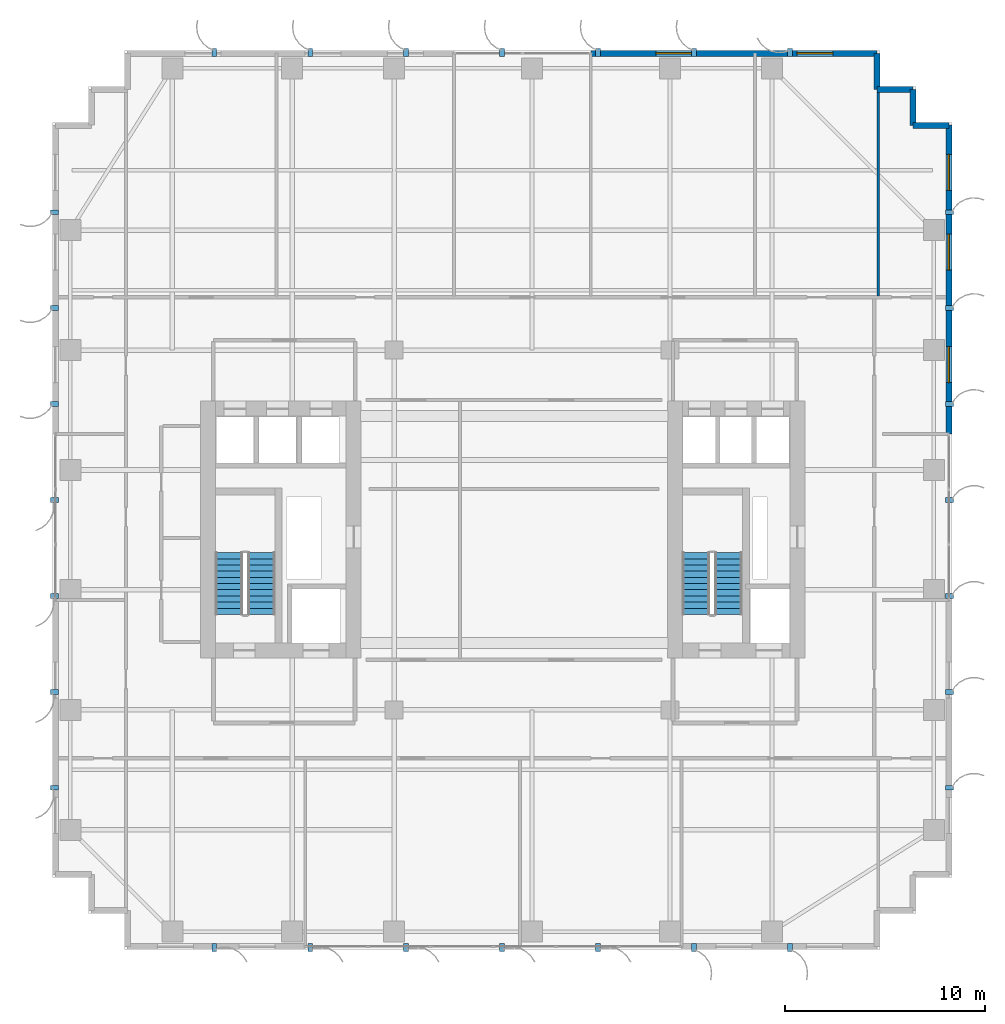
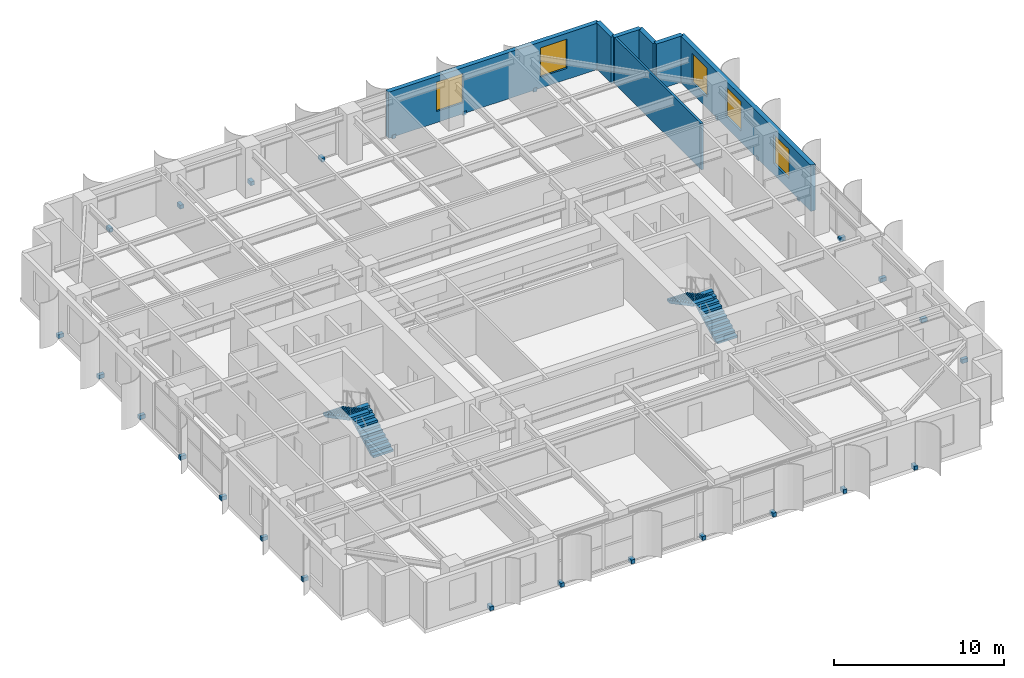
# One storey, part 19 of 22: 28 discrete accessories, 7 walls, 5 windows, 4 stair flights, 5 openings, 2 elements without a shape of their own.
"""IFC4 building model written with IfcOpenShell, lengths in metres."""

import ifcopenshell
import ifcopenshell.guid

model = None  # the IFC model being written
_history = None  # IfcOwnerHistory: only IFC2X3 demands one
_inside = {}  # id of a spatial element -> (the spatial element, [elements in it])
_under = {}  # id of a project, library or spatial element -> (it, [spatial elements below it])
_declared = {}  # id of a project -> (the project, [libraries it declares])
_typed = {}  # id of a type object -> (the type object, [elements of that type])
_made_of = {}  # id of a material, layer set ... -> (it, [elements and type objects made of it])


def new_model(schema):
    """Start an empty IFC model of exactly this schema.

    Asked for "IFC4X3", IfcOpenShell would pick the latest addendum, in which some entities
    have other attributes; the version numbers below select the first issue.
    IFC2X3 requires an IfcOwnerHistory on every rooted entity: one is made here for all.
    """
    global model, _history
    if schema == "IFC4X3":
        model = ifcopenshell.file(schema_version=(4, 3, 0, 0))
    else:
        model = ifcopenshell.file(schema=schema)
    _inside.clear()
    _under.clear()
    _declared.clear()
    _typed.clear()
    _made_of.clear()
    _history = None
    if model.schema == "IFC2X3":
        org = make("IfcOrganization", Name="unknown")
        user = make(
            "IfcPersonAndOrganization",
            ThePerson=make("IfcPerson", FamilyName="unknown"),
            TheOrganization=org,
        )
        app = make(
            "IfcApplication",
            ApplicationDeveloper=org,
            Version="unknown",
            ApplicationFullName="unknown",
            ApplicationIdentifier="unknown",
        )
        _history = make(
            "IfcOwnerHistory",
            OwningUser=user,
            OwningApplication=app,
            ChangeAction="ADDED",
            CreationDate=0,
        )
    return model


def make(cls, **values):
    """One entity of the class cls with the attributes given. An attribute that is None is left unset."""
    return model.create_entity(
        cls, **{name: value for name, value in values.items() if value is not None}
    )


def rooted(cls, **values):
    """An entity with a GlobalId (a new one), such as an element, a storey or a relation."""
    return make(cls, GlobalId=ifcopenshell.guid.new(), OwnerHistory=_history, **values)


def si_unit(unit_type, name, prefix=None):
    """IfcSIUnit, for example si_unit("LENGTHUNIT", "METRE", prefix="MILLI")."""
    return make("IfcSIUnit", UnitType=unit_type, Prefix=prefix, Name=name)


def assignment(units):
    """IfcUnitAssignment: the units of a project."""
    return None if units is None else make("IfcUnitAssignment", Units=units)


def point(xyz):
    """IfcCartesianPoint."""
    return None if xyz is None else make("IfcCartesianPoint", Coordinates=xyz)


def direction(xyz):
    """IfcDirection."""
    return None if xyz is None else make("IfcDirection", DirectionRatios=xyz)


def frame(location, z_axis=None, x_axis=None):
    """IfcAxis2Placement3D, a coordinate frame: its origin and axes. An axis left out is left unset."""
    return make(
        "IfcAxis2Placement3D",
        Location=point(location),
        Axis=direction(z_axis),
        RefDirection=direction(x_axis),
    )


def frame_2d(location, x_axis=None):
    """IfcAxis2Placement2D, a coordinate frame in the plane: its origin and x axis."""
    return make(
        "IfcAxis2Placement2D", Location=point(location), RefDirection=direction(x_axis)
    )


def origin():
    """The frame at (0, 0, 0) with its axes left unset."""
    return frame((0.0, 0.0, 0.0))


def origin_2d():
    """The frame at (0, 0) in the plane with its x axis left unset."""
    return frame_2d((0.0, 0.0))


def place(relative_to, where):
    """IfcLocalPlacement: puts the frame where relative to a parent placement (None: the world)."""
    return make(
        "IfcLocalPlacement", PlacementRelTo=relative_to, RelativePlacement=where
    )


def context(
    kind, dimensions, precision=None, world=None, true_north=None, identifier=None
):
    """IfcGeometricRepresentationContext, for example the 3D "Model" context."""
    return make(
        "IfcGeometricRepresentationContext",
        ContextIdentifier=identifier,
        ContextType=kind,
        CoordinateSpaceDimension=dimensions,
        Precision=precision,
        WorldCoordinateSystem=world,
        TrueNorth=true_north,
    )


def subcontext(parent, identifier, kind, view, scale=None):
    """IfcGeometricRepresentationSubContext, for example "Body" below "Model"."""
    return make(
        "IfcGeometricRepresentationSubContext",
        ContextIdentifier=identifier,
        ContextType=kind,
        ParentContext=parent,
        TargetScale=scale,
        TargetView=view,
    )


def project(units=None, contexts=None):
    """IfcProject with its units and contexts."""
    return rooted(
        "IfcProject",
        Name="project",
        RepresentationContexts=contexts,
        UnitsInContext=assignment(units),
    )


def spatial(cls, under=None, at=None, **own):
    """A site, building, storey or space (cls), placed at a placement, below another one or the project."""
    s = rooted(cls, ObjectPlacement=at, **own)
    if under is not None:
        _under.setdefault(under.id(), (under, []))[1].append(s)
    return s


def polyline(points):
    """IfcPolyline through the points."""
    return make("IfcPolyline", Points=[point(p) for p in points])


def profile(cls, at=None, kind="AREA", **sizes):
    """A parametric profile (cls). Its sizes go by their IFC names, for example OverallWidth=200.0."""
    return make(cls, ProfileType=kind, Position=at, **sizes)


def rectangle(**sizes):
    """IfcRectangleProfileDef."""
    return profile("IfcRectangleProfileDef", **sizes)


def outline(outer, holes=None, kind="AREA"):
    """IfcArbitraryClosedProfileDef: a profile drawn as a closed curve; with holes, ...WithVoids."""
    if holes is None:
        return make("IfcArbitraryClosedProfileDef", ProfileType=kind, OuterCurve=outer)
    return make(
        "IfcArbitraryProfileDefWithVoids",
        ProfileType=kind,
        OuterCurve=outer,
        InnerCurves=holes,
    )


def extrude(swept, where, along, depth):
    """IfcExtrudedAreaSolid: the profile swept, set in the frame where, extruded along a direction by depth."""
    return make(
        "IfcExtrudedAreaSolid",
        SweptArea=swept,
        Position=where,
        ExtrudedDirection=direction(along),
        Depth=depth,
    )


def shape(context_of_items, identifier, shape_type, items):
    """IfcShapeRepresentation: the items that make up one representation, for example the "Body"."""
    return make(
        "IfcShapeRepresentation",
        ContextOfItems=context_of_items,
        RepresentationIdentifier=identifier,
        RepresentationType=shape_type,
        Items=items,
    )


def source(mapping_origin, context_of_items, identifier, shape_type, items):
    """IfcRepresentationMap: a shape defined once, which mapped items show again and again."""
    return make(
        "IfcRepresentationMap",
        MappingOrigin=mapping_origin,
        MappedRepresentation=shape(context_of_items, identifier, shape_type, items),
    )


def transform(
    local_origin,
    x_axis=None,
    y_axis=None,
    z_axis=None,
    scale=None,
    scale2=None,
    scale3=None,
    uniform=True,
):
    """IfcCartesianTransformationOperator3D, or its non-uniform kind. x_axis, y_axis, z_axis: its Axis1, 2, 3."""
    if uniform:
        return make(
            "IfcCartesianTransformationOperator3D",
            Axis1=direction(x_axis),
            Axis2=direction(y_axis),
            LocalOrigin=point(local_origin),
            Scale=scale,
            Axis3=direction(z_axis),
        )
    return make(
        "IfcCartesianTransformationOperator3DnonUniform",
        Axis1=direction(x_axis),
        Axis2=direction(y_axis),
        LocalOrigin=point(local_origin),
        Scale=scale,
        Axis3=direction(z_axis),
        Scale2=scale2,
        Scale3=scale3,
    )


def mapped(mapping_source, mapping_target):
    """IfcMappedItem: shows the shape of a source again, moved by a transform."""
    return make(
        "IfcMappedItem", MappingSource=mapping_source, MappingTarget=mapping_target
    )


def material(Name=None, Category=None):
    """IfcMaterial."""
    return make("IfcMaterial", Name=Name, Category=Category)


def layer(
    of_material, thickness, ventilated=None, Name=None, Category=None, Priority=None
):
    """IfcMaterialLayer: one layer of a wall or slab, of a material (None: an air gap)."""
    return make(
        "IfcMaterialLayer",
        Material=of_material,
        LayerThickness=thickness,
        IsVentilated=ventilated,
        Name=Name,
        Category=Category,
        Priority=Priority,
    )


def layer_set(layers, Name=None):
    """IfcMaterialLayerSet."""
    return make("IfcMaterialLayerSet", MaterialLayers=layers, LayerSetName=Name)


def made_of(thing, what):
    """Note that an element or type object is made of a material, layer set ...; save() writes the relation."""
    if what is not None:
        _made_of.setdefault(what.id(), (what, []))[1].append(thing)
    return thing


def type_object(cls, material=None, **own):
    """A type object (cls), such as IfcWallType, which elements share."""
    return made_of(rooted(cls, **own), material)


def element(
    cls,
    number,
    at=None,
    inside=None,
    cuts=None,
    type_object=None,
    material=None,
    context=None,
    identifier="Body",
    shape_type=None,
    held_by="IfcProductDefinitionShape",
    body=None,
    shapes=None,
    **own,
):
    """One element of the class cls, such as IfcWall. Its Tag is "e" and its number.

    at: its placement. inside: the storey or other place that contains it. cuts: it is an
    opening in that element (IfcRelVoidsElement). A single representation is given by context,
    identifier, shape_type and body (its items); several are given by shapes. held_by: the class
    of the entity that holds the representations. save() writes the other relations.
    """
    e = rooted(cls, Tag="e%d" % number, ObjectPlacement=at, **own)
    if body is not None:
        shapes = [shape(context, identifier, shape_type, body)]
    if shapes is not None:
        e.Representation = make(held_by, Representations=shapes)
    if inside is not None:
        _inside.setdefault(inside.id(), (inside, []))[1].append(e)
    if cuts is not None:
        rooted(
            "IfcRelVoidsElement", RelatingBuildingElement=cuts, RelatedOpeningElement=e
        )
    if type_object is not None:
        _typed.setdefault(type_object.id(), (type_object, []))[1].append(e)
    return made_of(e, material)


def fill(opening, filler):
    """IfcRelFillsElement: the door or window that sits in an opening."""
    return rooted(
        "IfcRelFillsElement",
        RelatingOpeningElement=opening,
        RelatedBuildingElement=filler,
    )


def aggregate(whole, parts):
    """IfcRelAggregates: a whole, such as a stair, and the parts it consists of."""
    return rooted("IfcRelAggregates", RelatingObject=whole, RelatedObjects=parts)


def save(model, path):
    """Write the relations noted so far, then the file.

    IfcRelAggregates (storeys below a building ...), IfcRelContainedInSpatialStructure (elements
    in a storey), IfcRelDefinesByType, IfcRelAssociatesMaterial and IfcRelDeclares: one each for
    every whole, place, type object, material and project.
    """
    for whole, parts in _under.values():
        aggregate(whole, parts)
    for where, things in _inside.values():
        rooted(
            "IfcRelContainedInSpatialStructure",
            RelatedElements=things,
            RelatingStructure=where,
        )
    for kind, things in _typed.values():
        rooted("IfcRelDefinesByType", RelatedObjects=things, RelatingType=kind)
    for what, things in _made_of.values():
        rooted("IfcRelAssociatesMaterial", RelatedObjects=things, RelatingMaterial=what)
    for by, libraries in _declared.values():
        rooted("IfcRelDeclares", RelatingContext=by, RelatedDefinitions=libraries)
    model.write(path)


model = new_model("IFC4")

# Units and contexts
model_context = context("Model", 3, precision=1e-05, world=origin(), true_north=direction((0.0, 1.0)))
body_context = subcontext(model_context, "Body", "Model", "MODEL_VIEW")
ifc_project = project(units=[si_unit("LENGTHUNIT", "METRE"), si_unit("AREAUNIT", "SQUARE_METRE"), si_unit("VOLUMEUNIT", "CUBIC_METRE"), si_unit("PLANEANGLEUNIT", "RADIAN"), si_unit("MASSUNIT", "GRAM", prefix="KILO")], contexts=[model_context])

# Site, building, storey
site_placement = place(None, origin())
site = spatial("IfcSite", under=ifc_project, at=site_placement, CompositionType="ELEMENT")
building_placement = place(site_placement, origin())
building = spatial("IfcBuilding", under=site, at=building_placement, Name="Khoralis Quay Care Tower", CompositionType="ELEMENT")
storey_placement = place(building_placement, frame((0.0, 0.0, 141.300048828125)))
storey = spatial("IfcBuildingStorey", under=building, at=storey_placement, Name="L37", CompositionType="ELEMENT", Elevation=141.300048828125)

# Wall, openings, windows
ifc_material_1 = material(Name="Precast concrete C45/55", Category="concrete")
ifc_layer_1 = layer(ifc_material_1, 0.300048828125)
ifc_layer_set_1 = layer_set([ifc_layer_1], Name="Precast concrete C45/55")
wall_type_1 = type_object("IfcWallType", Name="WL-EXT-REF-300", PredefinedType="SOLIDWALL", material=ifc_layer_set_1)
wall_1_placement = place(storey_placement, frame((44.85009765625, 25.800048828125, 0.0), z_axis=(0.0, 0.0, 1.0), x_axis=(0.0, 1.0, 0.0)))
wall_1 = element("IfcWall", 1, at=wall_1_placement, inside=storey, type_object=wall_type_1, Name="L37 External Facade Wall WL-EXT-L37-P1-E5B", PredefinedType="SOLIDWALL", context=body_context, shape_type="SweptSolid", body=[
    extrude(rectangle(XDim=15.449951171875, YDim=0.300048828125, at=frame_2d((7.72509765625, 0.0))), origin(), (0.0, 0.0, 1.0), 3.320068359375),
])
opening_1_placement = place(wall_1_placement, frame((2.570068359375, 0.0, 0.800048828125)))
opening_1 = element("IfcOpeningElement", 2, at=opening_1_placement, cuts=wall_1, Name="Opening W2", PredefinedType="OPENING", context=body_context, shape_type="SweptSolid", body=[
    extrude(rectangle(XDim=1.800048828125, YDim=2.10009765625, at=frame_2d((0.89990234375, 1.050048828125))), frame((0.0, 0.16015625, 0.0), z_axis=(0.0, -1.0, 0.0), x_axis=(1.0, 0.0, 0.0)), (0.0, 0.0, 1.0), 0.320068359375),
])
opening_2_placement = place(wall_1_placement, frame((8.197509765625, 0.0, 0.800048828125)))
opening_2 = element("IfcOpeningElement", 3, at=opening_2_placement, cuts=wall_1, Name="Opening W2", PredefinedType="OPENING", context=body_context, shape_type="SweptSolid", body=[
    extrude(rectangle(XDim=1.800048828125, YDim=2.10009765625, at=frame_2d((0.89990234375, 1.050048828125))), frame((0.0, 0.16015625, 0.0), z_axis=(0.0, -1.0, 0.0), x_axis=(1.0, 0.0, 0.0)), (0.0, 0.0, 1.0), 0.320068359375),
])
opening_3_placement = place(wall_1_placement, frame((12.1923828125, 0.0, 0.800048828125)))
opening_3 = element("IfcOpeningElement", 4, at=opening_3_placement, cuts=wall_1, Name="Opening W2", PredefinedType="OPENING", context=body_context, shape_type="SweptSolid", body=[
    extrude(rectangle(XDim=1.800048828125, YDim=2.10009765625, at=frame_2d((0.89990234375, 1.050048828125))), frame((0.0, 0.16015625, 0.0), z_axis=(0.0, -1.0, 0.0), x_axis=(1.0, 0.0, 0.0)), (0.0, 0.0, 1.0), 0.320068359375),
])
ifc_material_2 = material(Name="Low-E solar-control double glazing", Category="glass")
window_type = type_object("IfcWindowType", Name="WN-POD-1800X2100", PartitioningType="SINGLE_PANEL", PredefinedType="WINDOW", material=ifc_material_2)
shared_shape_1 = source(origin(), body_context, "Body", "SweptSolid", [
    extrude(rectangle(XDim=1.800048828125, YDim=2.10009765625, at=frame_2d((0.89990234375, 1.050048828125))), frame((0.0, 0.030029296875, 0.0), z_axis=(0.0, -1.0, 0.0), x_axis=(1.0, 0.0, 0.0)), (0.0, 0.0, 1.0), 0.06005859375),
])
window_1_placement = place(opening_1_placement, origin())
window_1 = element("IfcWindow", 5, at=window_1_placement, inside=storey, type_object=window_type, Name="WN-L37-P1-E5B Facade Window 01", OverallHeight=2.10009765625, OverallWidth=1.800048828125, PartitioningType="SINGLE_PANEL", PredefinedType="WINDOW", context=body_context, shape_type="MappedRepresentation", body=[
    mapped(shared_shape_1, transform((0.0, 0.0, 0.0), scale=1.0)),
])
fill(opening_1, window_1)
window_2_placement = place(opening_2_placement, origin())
window_2 = element("IfcWindow", 6, at=window_2_placement, inside=storey, type_object=window_type, Name="WN-L37-P1-E5B Facade Window 02", OverallHeight=2.10009765625, OverallWidth=1.800048828125, PartitioningType="SINGLE_PANEL", PredefinedType="WINDOW", context=body_context, shape_type="MappedRepresentation", body=[
    mapped(shared_shape_1, transform((0.0, 0.0, 0.0), scale=1.0)),
])
fill(opening_2, window_2)
window_3_placement = place(opening_3_placement, origin())
window_3 = element("IfcWindow", 7, at=window_3_placement, inside=storey, type_object=window_type, Name="WN-L37-P1-E5B Facade Window 03", OverallHeight=2.10009765625, OverallWidth=1.800048828125, PartitioningType="SINGLE_PANEL", PredefinedType="WINDOW", context=body_context, shape_type="MappedRepresentation", body=[
    mapped(shared_shape_1, transform((0.0, 0.0, 0.0), scale=1.0)),
])
fill(opening_3, window_3)

# Walls
for number, where, z_axis, x_axis, name in (
    (8, (44.85009765625, 41.25, 0.0), (0.0, 0.0, 1.0), (-1.0, 0.0, 0.0), "L37 External Facade Wall WL-EXT-L37-P1-C6"),
    (9, (43.050048828125, 41.25, 0.0), (0.0, 0.0, 1.0), (0.0, 1.0, 0.0), "L37 External Facade Wall WL-EXT-L37-P1-C7"),
    (10, (43.050048828125, 43.050048828125, 0.0), (0.0, 0.0, 1.0), (-1.0, 0.0, 0.0), "L37 External Facade Wall WL-EXT-L37-P1-C8"),
    (11, (41.25, 43.050048828125, 0.0), (0.0, 0.0, 1.0), (0.0, 1.0, 0.0), "L37 External Facade Wall WL-EXT-L37-P1-C9"),
):
    element("IfcWall", number, at=place(storey_placement, frame(where, z_axis=z_axis, x_axis=x_axis)), inside=storey, type_object=wall_type_1, Name=name, PredefinedType="SOLIDWALL", context=body_context, shape_type="SweptSolid", body=[
        extrude(rectangle(XDim=1.800048828125, YDim=0.300048828125, at=frame_2d((0.89990234375, 0.0))), origin(), (0.0, 0.0, 1.0), 3.320068359375),
    ])

# Wall, openings, windows
wall_2_placement = place(storey_placement, frame((41.25, 44.85009765625, 0.0), z_axis=(0.0, 0.0, 1.0), x_axis=(-1.0, 0.0, 0.0)))
wall_2 = element("IfcWall", 12, at=wall_2_placement, inside=storey, type_object=wall_type_1, Name="L37 External Facade Wall WL-EXT-L37-P1-E10A", PredefinedType="SOLIDWALL", context=body_context, shape_type="SweptSolid", body=[
    extrude(rectangle(XDim=14.31005859375, YDim=0.300048828125, at=frame_2d((7.155029296875, 0.0))), origin(), (0.0, 0.0, 1.0), 3.320068359375),
])
opening_4_placement = place(wall_2_placement, frame((2.199951171875, 0.0, 0.800048828125)))
opening_4 = element("IfcOpeningElement", 13, at=opening_4_placement, cuts=wall_2, Name="Opening W2", PredefinedType="OPENING", context=body_context, shape_type="SweptSolid", body=[
    extrude(rectangle(XDim=1.800048828125, YDim=2.10009765625, at=frame_2d((0.89990234375, 1.050048828125))), frame((0.0, 0.16015625, 0.0), z_axis=(0.0, -1.0, 0.0), x_axis=(1.0, 0.0, 0.0)), (0.0, 0.0, 1.0), 0.320068359375),
])
opening_5_placement = place(wall_2_placement, frame((9.2548828125, 0.0, 0.800048828125)))
opening_5 = element("IfcOpeningElement", 14, at=opening_5_placement, cuts=wall_2, Name="Opening W2", PredefinedType="OPENING", context=body_context, shape_type="SweptSolid", body=[
    extrude(rectangle(XDim=1.800048828125, YDim=2.10009765625, at=frame_2d((0.89990234375, 1.050048828125))), frame((0.0, 0.16015625, 0.0), z_axis=(0.0, -1.0, 0.0), x_axis=(1.0, 0.0, 0.0)), (0.0, 0.0, 1.0), 0.320068359375),
])
window_4_placement = place(opening_4_placement, origin())
window_4 = element("IfcWindow", 15, at=window_4_placement, inside=storey, type_object=window_type, Name="WN-L37-P1-E10A Facade Window 01", OverallHeight=2.10009765625, OverallWidth=1.800048828125, PartitioningType="SINGLE_PANEL", PredefinedType="WINDOW", context=body_context, shape_type="MappedRepresentation", body=[
    mapped(shared_shape_1, transform((0.0, 0.0, 0.0), scale=1.0)),
])
fill(opening_4, window_4)
window_5_placement = place(opening_5_placement, origin())
window_5 = element("IfcWindow", 16, at=window_5_placement, inside=storey, type_object=window_type, Name="WN-L37-P1-E10A Facade Window 02", OverallHeight=2.10009765625, OverallWidth=1.800048828125, PartitioningType="SINGLE_PANEL", PredefinedType="WINDOW", context=body_context, shape_type="MappedRepresentation", body=[
    mapped(shared_shape_1, transform((0.0, 0.0, 0.0), scale=1.0)),
])
fill(opening_5, window_5)

# Wall
ifc_material_3 = material(Name="Gypsum plasterboard on acoustic metal stud")
ifc_layer_2 = layer(ifc_material_3, 0.139892578125)
ifc_layer_set_2 = layer_set([ifc_layer_2], Name="Gypsum plasterboard on acoustic metal stud")
wall_type_2 = type_object("IfcWallType", Name="WL-UNIT-140", PredefinedType="PARTITIONING", material=ifc_layer_set_2)
wall_3_placement = place(storey_placement, frame((41.320068359375, 32.717529296875, 0.0), z_axis=(0.0, 0.0, 1.0), x_axis=(0.0, 1.0, 0.0)))
element("IfcWall", 17, at=wall_3_placement, inside=storey, type_object=wall_type_2, Name="L37 NB Demising Wall 5", PredefinedType="PARTITIONING", context=body_context, shape_type="SweptSolid", body=[
    extrude(rectangle(XDim=10.33740234375, YDim=0.139892578125, at=frame_2d((5.168701171875, 0.0))), origin(), (0.0, 0.0, 1.0), 3.320068359375),
])

# Stair, stair flights
stair_type = type_object("IfcStairType", Name="ST-TWR-DOGLEG-1400", PredefinedType="HALF_TURN_STAIR", material=ifc_material_1)
stair_1_placement = place(storey_placement, origin())
stair_1 = element("IfcStair", 18, at=stair_1_placement, inside=storey, type_object=stair_type, Name="L37 West Core Exit Stair ST-T1", PredefinedType="HALF_TURN_STAIR")
stair_flight_type = type_object("IfcStairFlightType", Name="SF-TWR-1400", PredefinedType="STRAIGHT", material=ifc_material_1)
shared_shape_2 = source(origin(), body_context, "Body", "SweptSolid", [
    extrude(outline(polyline([(0.0, 0.0), (0.0, 0.16357421875), (0.31005859375, 0.16357421875), (0.31005859375, 0.327392578125), (0.6201171875, 0.327392578125), (0.6201171875, 0.490966796875), (0.929931640625, 0.490966796875), (0.929931640625, 0.654541015625), (1.239990234375, 0.654541015625), (1.239990234375, 0.818115234375), (1.550048828125, 0.818115234375), (1.550048828125, 0.98193359375), (1.860107421875, 0.98193359375), (1.860107421875, 1.1455078125), (2.169921875, 1.1455078125), (2.169921875, 1.30908203125), (2.47998046875, 1.30908203125), (2.47998046875, 1.47265625), (2.7900390625, 1.47265625), (2.7900390625, 1.636474609375), (3.10009765625, 1.636474609375), (3.10009765625, 1.800048828125), (3.10009765625, 1.466796875), (0.321044921875, 0.0), (0.0, 0.0)])), frame((0.0, 0.68994140625, 0.0), z_axis=(0.0, -1.0, 0.0), x_axis=(1.0, 0.0, 0.0)), (0.0, 0.0, 1.0), 1.3798828125),
])
stair_flight_1_placement = place(storey_placement, frame((10.4599609375, 16.77001953125, 0.0), z_axis=(0.0, 0.0, 1.0), x_axis=(0.0, 1.0, 0.0)))
stair_flight_1 = element("IfcStairFlight", 19, at=stair_flight_1_placement, type_object=stair_flight_type, Name="ST-T1 flight 1", NumberOfRisers=11, NumberOfTreads=10, PredefinedType="STRAIGHT", RiserHeight=0.163636364, TreadLength=0.31, context=body_context, shape_type="MappedRepresentation", body=[
    mapped(shared_shape_2, transform((0.0, 0.0, 0.0), scale=1.0)),
])
stair_flight_2_placement = place(storey_placement, frame((8.840087890625, 19.8701171875, 1.800048828125), z_axis=(0.0, 0.0, 1.0), x_axis=(0.0, -1.0, 0.0)))
stair_flight_2 = element("IfcStairFlight", 20, at=stair_flight_2_placement, type_object=stair_flight_type, Name="ST-T1 flight 2", NumberOfRisers=11, NumberOfTreads=10, PredefinedType="STRAIGHT", RiserHeight=0.163636364, TreadLength=0.31, context=body_context, shape_type="MappedRepresentation", body=[
    mapped(shared_shape_2, transform((0.0, 0.0, 0.0), scale=1.0)),
])
aggregate(stair_1, [stair_flight_1, stair_flight_2])

stair_2_placement = place(storey_placement, origin())
stair_2 = element("IfcStair", 21, at=stair_2_placement, inside=storey, type_object=stair_type, Name="L37 East Core Exit Stair ST-T2", PredefinedType="HALF_TURN_STAIR")
stair_flight_3_placement = place(storey_placement, frame((33.830078125, 16.77001953125, 0.0), z_axis=(0.0, 0.0, 1.0), x_axis=(0.0, 1.0, 0.0)))
stair_flight_3 = element("IfcStairFlight", 22, at=stair_flight_3_placement, type_object=stair_flight_type, Name="ST-T2 flight 1", NumberOfRisers=11, NumberOfTreads=10, PredefinedType="STRAIGHT", RiserHeight=0.163636364, TreadLength=0.31, context=body_context, shape_type="MappedRepresentation", body=[
    mapped(shared_shape_2, transform((0.0, 0.0, 0.0), scale=1.0)),
])
stair_flight_4_placement = place(storey_placement, frame((32.2099609375, 19.8701171875, 1.800048828125), z_axis=(0.0, 0.0, 1.0), x_axis=(0.0, -1.0, 0.0)))
stair_flight_4 = element("IfcStairFlight", 23, at=stair_flight_4_placement, type_object=stair_flight_type, Name="ST-T2 flight 2", NumberOfRisers=11, NumberOfTreads=10, PredefinedType="STRAIGHT", RiserHeight=0.163636364, TreadLength=0.31, context=body_context, shape_type="MappedRepresentation", body=[
    mapped(shared_shape_2, transform((0.0, 0.0, 0.0), scale=1.0)),
])
aggregate(stair_2, [stair_flight_3, stair_flight_4])

# Discrete accessories
ifc_material_4 = material(Name="Brushed stainless steel", Category="steel")
discrete_accessory_type = type_object("IfcDiscreteAccessoryType", Name="ACC-FIN-BRACKET", PredefinedType="BRACKET", material=ifc_material_4)
shared_shape_3 = source(origin(), body_context, "Body", "SweptSolid", [
    extrude(rectangle(XDim=0.39990234375, YDim=0.239990234375, at=origin_2d()), origin(), (0.0, 0.0, 1.0), 0.280029296875),
])
for number, where, z_axis, x_axis, name in (
    (24, (8.10009765625, 0.110107421875, -0.1201171875), (0.0, 0.0, 1.0), (0.0, -1.0, 0.0), "L37 Solar Fin Bracket P1E0-01"),
    (25, (12.89990234375, 0.110107421875, -0.1201171875), (0.0, 0.0, 1.0), (0.0, -1.0, 0.0), "L37 Solar Fin Bracket P1E0-02"),
    (26, (17.699951171875, 0.110107421875, -0.1201171875), (0.0, 0.0, 1.0), (0.0, -1.0, 0.0), "L37 Solar Fin Bracket P1E0-03"),
    (27, (22.5, 0.110107421875, -0.1201171875), (0.0, 0.0, 1.0), (0.0, -1.0, 0.0), "L37 Solar Fin Bracket P1E0-04"),
    (28, (27.300048828125, 0.110107421875, -0.1201171875), (0.0, 0.0, 1.0), (0.0, -1.0, 0.0), "L37 Solar Fin Bracket P1E0-05"),
    (29, (32.10009765625, 0.110107421875, -0.1201171875), (0.0, 0.0, 1.0), (0.0, -1.0, 0.0), "L37 Solar Fin Bracket P1E0-06"),
    (30, (36.89990234375, 0.110107421875, -0.1201171875), (0.0, 0.0, 1.0), (0.0, -1.0, 0.0), "L37 Solar Fin Bracket P1E0-07"),
    (31, (44.889892578125, 8.10009765625, -0.1201171875), (0.0, 0.0, 1.0), (1.0, 0.0, 0.0), "L37 Solar Fin Bracket P1E5-01"),
    (32, (44.889892578125, 12.89990234375, -0.1201171875), (0.0, 0.0, 1.0), (1.0, 0.0, 0.0), "L37 Solar Fin Bracket P1E5-02"),
    (33, (44.889892578125, 17.699951171875, -0.1201171875), (0.0, 0.0, 1.0), (1.0, 0.0, 0.0), "L37 Solar Fin Bracket P1E5-03"),
    (34, (44.889892578125, 22.5, -0.1201171875), (0.0, 0.0, 1.0), (1.0, 0.0, 0.0), "L37 Solar Fin Bracket P1E5-04"),
    (35, (44.889892578125, 27.300048828125, -0.1201171875), (0.0, 0.0, 1.0), (1.0, 0.0, 0.0), "L37 Solar Fin Bracket P1E5-05"),
    (36, (44.889892578125, 32.10009765625, -0.1201171875), (0.0, 0.0, 1.0), (1.0, 0.0, 0.0), "L37 Solar Fin Bracket P1E5-06"),
    (37, (44.889892578125, 36.89990234375, -0.1201171875), (0.0, 0.0, 1.0), (1.0, 0.0, 0.0), "L37 Solar Fin Bracket P1E5-07"),
    (38, (36.89990234375, 44.889892578125, -0.1201171875), (0.0, 0.0, 1.0), (0.0, 1.0, 0.0), "L37 Solar Fin Bracket P1E10-01"),
    (39, (32.10009765625, 44.889892578125, -0.1201171875), (0.0, 0.0, 1.0), (0.0, 1.0, 0.0), "L37 Solar Fin Bracket P1E10-02"),
    (40, (27.300048828125, 44.889892578125, -0.1201171875), (0.0, 0.0, 1.0), (0.0, 1.0, 0.0), "L37 Solar Fin Bracket P1E10-03"),
    (41, (22.5, 44.889892578125, -0.1201171875), (0.0, 0.0, 1.0), (0.0, 1.0, 0.0), "L37 Solar Fin Bracket P1E10-04"),
    (42, (17.699951171875, 44.889892578125, -0.1201171875), (0.0, 0.0, 1.0), (0.0, 1.0, 0.0), "L37 Solar Fin Bracket P1E10-05"),
    (43, (12.89990234375, 44.889892578125, -0.1201171875), (0.0, 0.0, 1.0), (0.0, 1.0, 0.0), "L37 Solar Fin Bracket P1E10-06"),
    (44, (8.10009765625, 44.889892578125, -0.1201171875), (0.0, 0.0, 1.0), (0.0, 1.0, 0.0), "L37 Solar Fin Bracket P1E10-07"),
    (45, (0.110107421875, 36.89990234375, -0.1201171875), (0.0, 0.0, 1.0), (-1.0, 0.0, 0.0), "L37 Solar Fin Bracket P1E15-01"),
    (46, (0.110107421875, 32.10009765625, -0.1201171875), (0.0, 0.0, 1.0), (-1.0, 0.0, 0.0), "L37 Solar Fin Bracket P1E15-02"),
    (47, (0.110107421875, 27.300048828125, -0.1201171875), (0.0, 0.0, 1.0), (-1.0, 0.0, 0.0), "L37 Solar Fin Bracket P1E15-03"),
    (48, (0.110107421875, 22.5, -0.1201171875), (0.0, 0.0, 1.0), (-1.0, 0.0, 0.0), "L37 Solar Fin Bracket P1E15-04"),
    (49, (0.110107421875, 17.699951171875, -0.1201171875), (0.0, 0.0, 1.0), (-1.0, 0.0, 0.0), "L37 Solar Fin Bracket P1E15-05"),
    (50, (0.110107421875, 12.89990234375, -0.1201171875), (0.0, 0.0, 1.0), (-1.0, 0.0, 0.0), "L37 Solar Fin Bracket P1E15-06"),
    (51, (0.110107421875, 8.10009765625, -0.1201171875), (0.0, 0.0, 1.0), (-1.0, 0.0, 0.0), "L37 Solar Fin Bracket P1E15-07"),
):
    element("IfcDiscreteAccessory", number, at=place(storey_placement, frame(where, z_axis=z_axis, x_axis=x_axis)), inside=storey, type_object=discrete_accessory_type, Name=name, PredefinedType="BRACKET", context=body_context, shape_type="MappedRepresentation", body=[
        mapped(shared_shape_3, transform((0.0, 0.0, 0.0), scale=1.0)),
    ])

save(model, "model.ifc")
